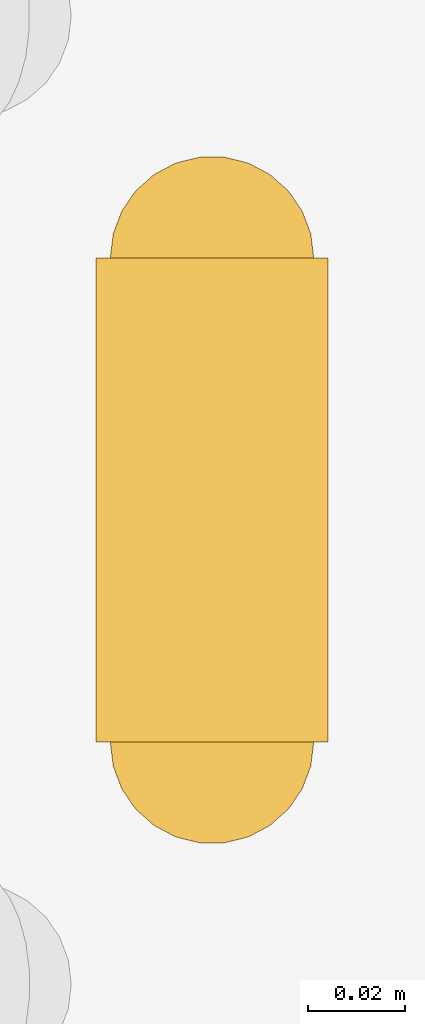
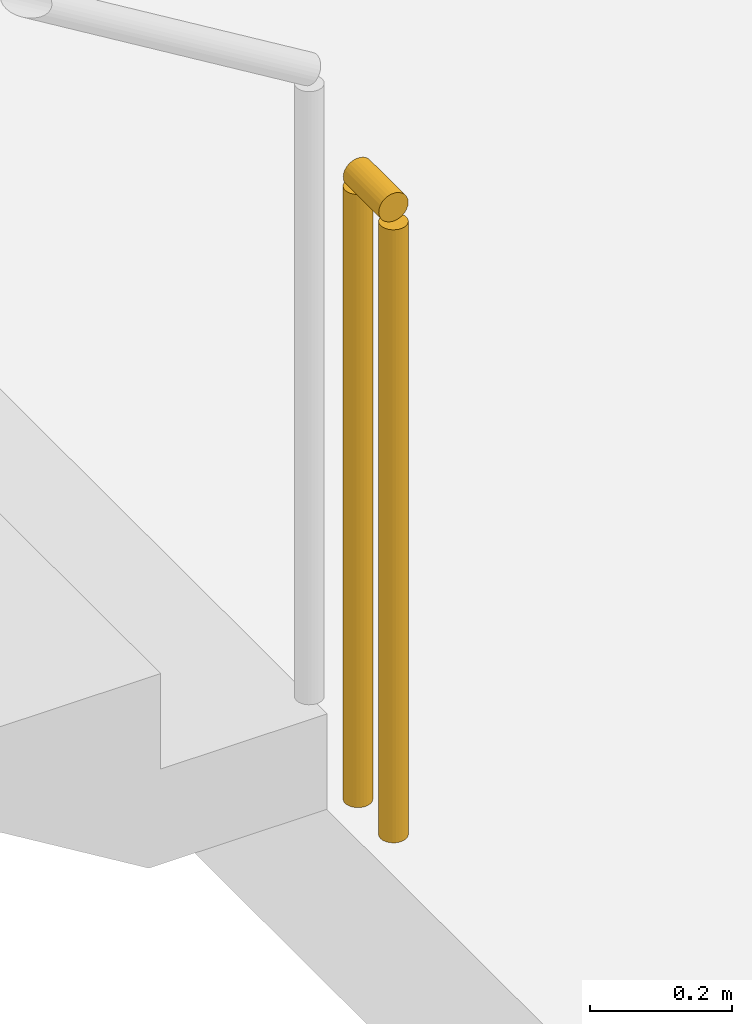
# One storey, part 15 of 16: 1 railing.
"""IFC4 building model written with IfcOpenShell, lengths in metres."""

from ifc_helpers import new_model, si_unit, direction, frame, origin, origin_2d, place, context, subcontext, project, spatial, circle, extrude, material, type_object, element, save


model = new_model("IFC4")

# Units and contexts
model_context = context("Model", 3, precision=1e-05, world=origin(), true_north=direction((0.0, 1.0)))
body_context = subcontext(model_context, "Body", "Model", "MODEL_VIEW")
ifc_project = project(units=[si_unit("LENGTHUNIT", "METRE"), si_unit("AREAUNIT", "SQUARE_METRE"), si_unit("VOLUMEUNIT", "CUBIC_METRE"), si_unit("PLANEANGLEUNIT", "RADIAN"), si_unit("MASSUNIT", "GRAM", prefix="KILO")], contexts=[model_context])

# Site, building, storey
site_placement = place(None, origin())
site = spatial("IfcSite", under=ifc_project, at=site_placement, CompositionType="ELEMENT")
building_placement = place(site_placement, origin())
building = spatial("IfcBuilding", under=site, at=building_placement, Name="Vermilion Reach Broadcast Tower", CompositionType="ELEMENT")
storey_placement = place(building_placement, frame((0.0, 0.0, 110.199951171875)))
storey = spatial("IfcBuildingStorey", under=building, at=storey_placement, Name="L25", CompositionType="ELEMENT", Elevation=110.199951171875)

# Railing
ifc_material = material(Name="Stainless steel", Category="steel")
railing_type = type_object("IfcRailingType", Name="Stair guard 1100", PredefinedType="GUARDRAIL", material=ifc_material)
railing_placement = place(storey_placement, frame((-0.949951171875, 5.639892578125, 0.0)))
element("IfcRailing", 1, at=railing_placement, inside=storey, type_object=railing_type, Name="L25 ST2 stair guard 4", PredefinedType="GUARDRAIL", context=body_context, shape_type="SweptSolid", body=[
    extrude(circle(Radius=0.02392578125, at=origin_2d()), frame((0.0, 0.0, 1.076171875), z_axis=(0.0, -1.0, 0.0), x_axis=(1.0, 0.0, 0.0)), (0.0, 0.0, 1.0), 0.099853515625),
    extrude(circle(Radius=0.02099609375, at=origin_2d()), origin(), (0.0, 0.0, 1.0), 1.052001953125),
    extrude(circle(Radius=0.02099609375, at=origin_2d()), frame((0.0, -0.099853515625, 0.0)), (0.0, 0.0, 1.0), 1.052001953125),
])

save(model, "model.ifc")
